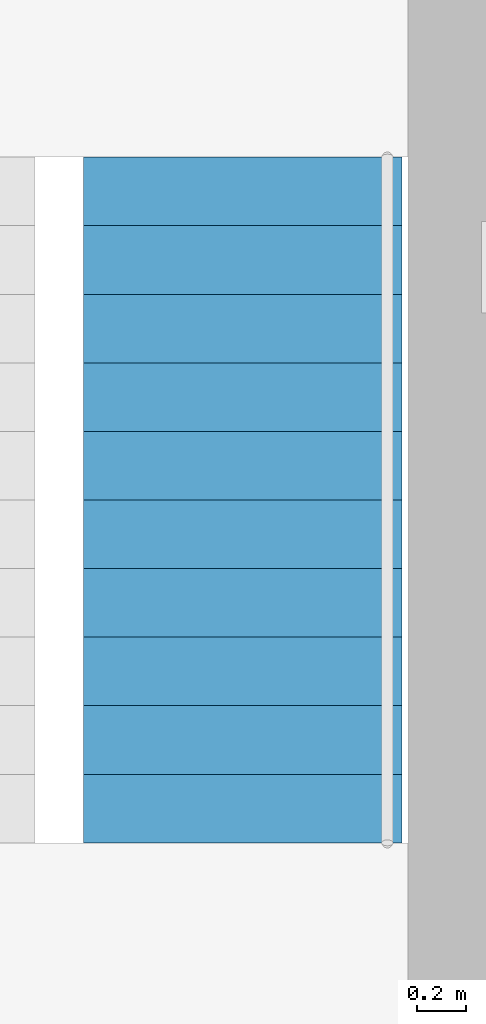
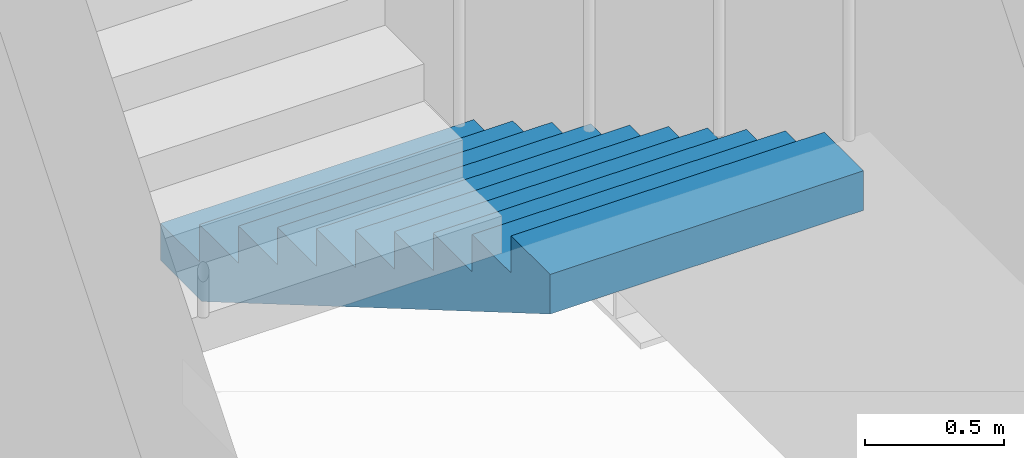
# One storey, part 9 of 12: 1 stair flight, 1 element without a shape of its own.
"""IFC4 building model written with IfcOpenShell, lengths in metres."""

from ifc_helpers import new_model, si_unit, direction, frame, origin, place, context, subcontext, project, spatial, polyline, outline, extrude, material, type_object, element, aggregate, save


model = new_model("IFC4")

# Units and contexts
model_context = context("Model", 3, precision=1e-05, world=origin(), true_north=direction((0.0, 1.0)))
body_context = subcontext(model_context, "Body", "Model", "MODEL_VIEW")
ifc_project = project(units=[si_unit("LENGTHUNIT", "METRE"), si_unit("AREAUNIT", "SQUARE_METRE"), si_unit("VOLUMEUNIT", "CUBIC_METRE"), si_unit("PLANEANGLEUNIT", "RADIAN"), si_unit("MASSUNIT", "GRAM", prefix="KILO")], contexts=[model_context])

# Site, building, storey
site_placement = place(None, origin())
site = spatial("IfcSite", under=ifc_project, at=site_placement, CompositionType="ELEMENT")
building_placement = place(site_placement, origin())
building = spatial("IfcBuilding", under=site, at=building_placement, Name="Loomwork Tower", CompositionType="ELEMENT")
storey_placement = place(building_placement, frame((0.0, 0.0, 233.800048828125)))
storey = spatial("IfcBuildingStorey", under=building, at=storey_placement, Name="L64", CompositionType="ELEMENT", Elevation=233.800048828125)

# Stair, stair flight
ifc_material_1 = material(Name="Concrete 5000 psi (34 MPa) precast stair", Category="concrete")
stair_type = type_object("IfcStairType", Name="Stair ST-B 22 risers 2850 wide", PredefinedType="HALF_TURN_STAIR", material=ifc_material_1)
stair_placement = place(storey_placement, origin())
stair = element("IfcStair", 1, at=stair_placement, inside=storey, type_object=stair_type, Name="Stair B L64", PredefinedType="HALF_TURN_STAIR")
ifc_material_2 = material(Name="Concrete 5000 psi (34 MPa) precast stair", Category="concrete")
stair_flight_type = type_object("IfcStairFlightType", Name="Stair flight ST-B 11 risers 1300 wide", PredefinedType="STRAIGHT", material=ifc_material_2)
stair_flight_placement = place(storey_placement, frame((32.925048828125, 18.449951171875, 0.0), z_axis=(0.0, 0.0, 1.0), x_axis=(0.0, -1.0, 0.0)))
stair_flight = element("IfcStairFlight", 2, at=stair_flight_placement, type_object=stair_flight_type, Name="ST-B flight 1", NumberOfRisers=11, NumberOfTreads=10, PredefinedType="STRAIGHT", RiserHeight=0.163636364, TreadLength=0.28, context=body_context, shape_type="SweptSolid", body=[
    extrude(outline(polyline([(0.0, 0.0), (0.0, 0.16357421875), (0.280029296875, 0.16357421875), (0.280029296875, 0.327392578125), (0.56005859375, 0.327392578125), (0.56005859375, 0.490966796875), (0.840087890625, 0.490966796875), (0.840087890625, 0.654541015625), (1.1201171875, 0.654541015625), (1.1201171875, 0.818115234375), (1.39990234375, 0.818115234375), (1.39990234375, 0.98193359375), (1.679931640625, 0.98193359375), (1.679931640625, 1.1455078125), (1.9599609375, 1.1455078125), (1.9599609375, 1.30908203125), (2.239990234375, 1.30908203125), (2.239990234375, 1.47265625), (2.52001953125, 1.47265625), (2.52001953125, 1.636474609375), (2.800048828125, 1.636474609375), (2.800048828125, 1.800048828125), (2.800048828125, 1.462646484375), (0.297119140625, 0.0), (0.0, 0.0)])), frame((0.0, 0.64990234375, 0.0), z_axis=(0.0, -1.0, 0.0), x_axis=(1.0, 0.0, 0.0)), (0.0, 0.0, 1.0), 1.300048828125),
])
aggregate(stair, [stair_flight])

save(model, "model.ifc")
